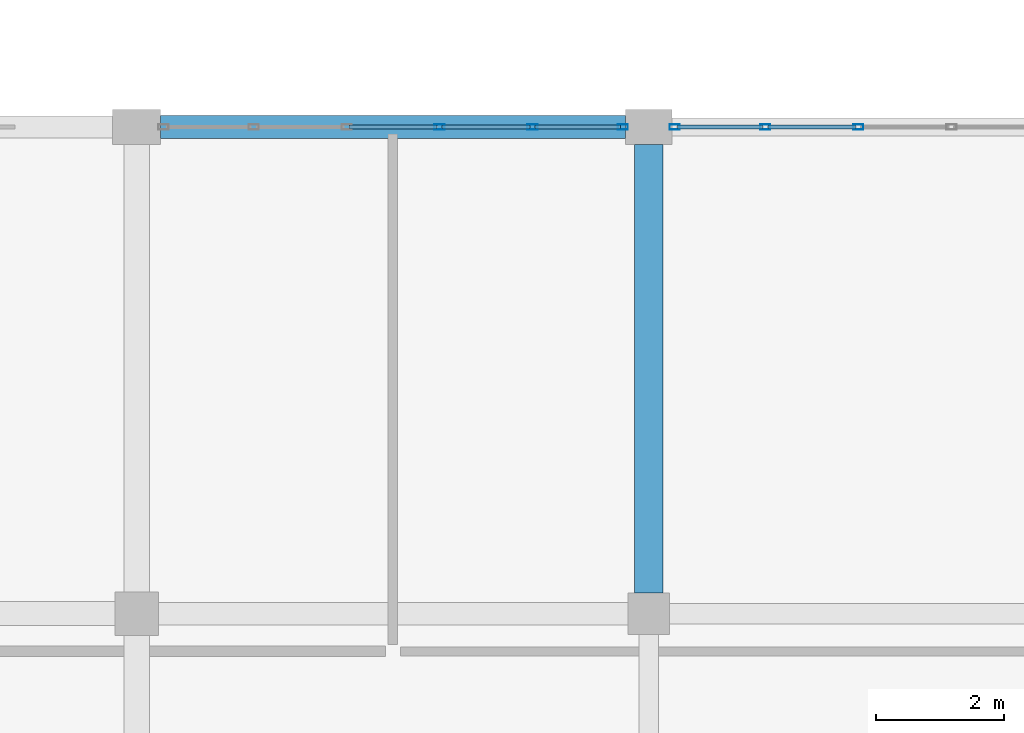
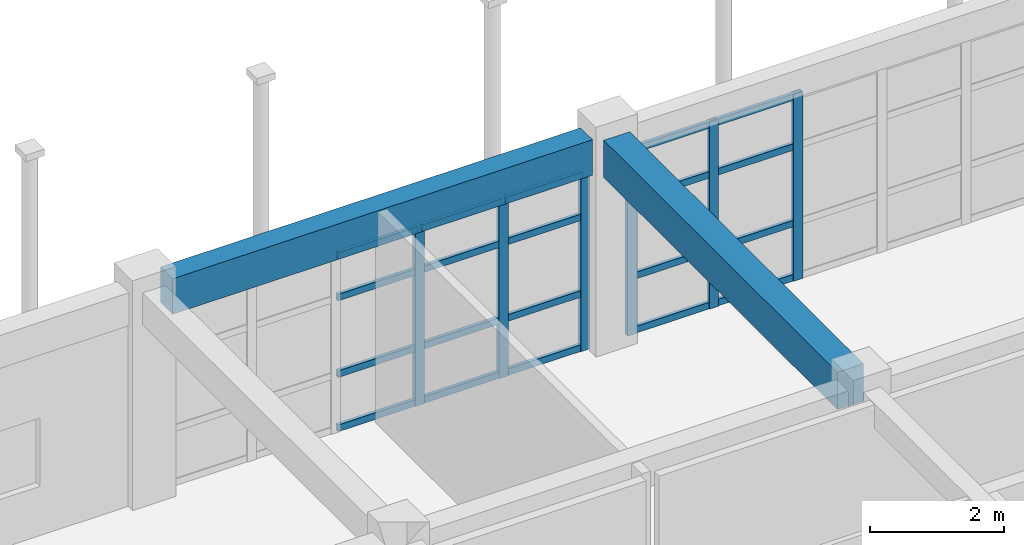
# One storey, part 74 of 195: 26 members, 2 beams, 2 elements without a shape of their own.
"""IFC4 building model written with IfcOpenShell, lengths in metres."""

from ifc_helpers import new_model, si_unit, direction, frame, origin, origin_2d, place, context, subcontext, project, spatial, rectangle, hollow_rectangle, extrude, material, material_profile, profile_set, type_object, element, aggregate, save


model = new_model("IFC4")

# Units and contexts
model_context = context("Model", 3, precision=1e-05, world=origin(), true_north=direction((0.0, 1.0)))
body_context = subcontext(model_context, "Body", "Model", "MODEL_VIEW")
ifc_project = project(units=[si_unit("LENGTHUNIT", "METRE"), si_unit("AREAUNIT", "SQUARE_METRE"), si_unit("VOLUMEUNIT", "CUBIC_METRE"), si_unit("PLANEANGLEUNIT", "RADIAN"), si_unit("MASSUNIT", "GRAM", prefix="KILO")], contexts=[model_context])

# Site, building, storey
site_placement = place(None, origin())
site = spatial("IfcSite", under=ifc_project, at=site_placement, CompositionType="ELEMENT")
building_placement = place(site_placement, origin())
building = spatial("IfcBuilding", under=site, at=building_placement, Name="Kharva Crest Polytechnic", CompositionType="ELEMENT")
storey_placement = place(building_placement, frame((0.0, 0.0, 9.0)))
storey = spatial("IfcBuildingStorey", under=building, at=storey_placement, Name="L02", CompositionType="ELEMENT", Elevation=9.0)

# Beam
ifc_material_1 = material(Name="Concrete C35/45", Category="concrete")
ifc_material_profile_1 = material_profile(ifc_material_1, rectangle(XDim=0.449951171875, YDim=0.679931640625, at=origin_2d()), Name="RECT 450 X 680")
ifc_profile_set_1 = profile_set([ifc_material_profile_1], Name="Concrete C35/45")
beam_type_1 = type_object("IfcBeamType", Name="BM-RC-450X680", PredefinedType="BEAM", material=ifc_profile_set_1)
beam_1_placement = place(storey_placement, frame((88.0, 15.52490234375, 3.580078125), z_axis=(0.0, 1.0, 0.0), x_axis=(-1.0, 0.0, 0.0)))
element("IfcBeam", 1, at=beam_1_placement, inside=storey, type_object=beam_type_1, Name="L02 Girder 12/C-D", PredefinedType="BEAM", context=body_context, shape_type="SweptSolid", body=[
    extrude(rectangle(XDim=0.449951171875, YDim=0.679931640625, at=origin_2d()), origin(), (0.0, 0.0, 1.0), 7.0),
])

# Curtain wall, members
ifc_material_2 = material(Name="Tempered insulated glass", Category="glass")
curtain_wall_type = type_object("IfcCurtainWallType", Name="CW-SYS-COURT", PredefinedType="USERDEFINED", material=ifc_material_2)
curtain_wall_1_placement = place(storey_placement, origin())
curtain_wall_1 = element("IfcCurtainWall", 2, at=curtain_wall_1_placement, inside=storey, type_object=curtain_wall_type, Name="L02 Glazed Curtain Wall CW-082", ObjectType="CURTAIN WALL", PredefinedType="USERDEFINED")
ifc_material_3 = material(Name="Steel S355", Category="steel")
ifc_material_profile_2 = material_profile(ifc_material_3, hollow_rectangle(XDim=0.080078125, YDim=0.159912109375, WallThickness=0.0048828125, at=origin_2d()), Name="RHS 160X80X5.0")
ifc_profile_set_2 = profile_set([ifc_material_profile_2], Name="Steel S355")
member_type_1 = type_object("IfcMemberType", Name="CWM-RHS160X80", PredefinedType="MULLION", material=ifc_profile_set_2)
member_1_placement = place(storey_placement, frame((91.27294921875, 22.800048828125, 0.0), z_axis=(0.0, 0.0, 1.0), x_axis=(0.0, -1.0, 0.0)))
member_1 = element("IfcMember", 3, at=member_1_placement, type_object=member_type_1, Name="CW-082 mullion 4", PredefinedType="MULLION", context=body_context, shape_type="SweptSolid", body=[
    extrude(hollow_rectangle(XDim=0.080078125, YDim=0.159912109375, WallThickness=0.0048828125, at=origin_2d()), origin(), (0.0, 0.0, 1.0), 3.419921875),
])
member_2_placement = place(storey_placement, frame((89.819091796875, 22.800048828125, 0.0), z_axis=(0.0, 0.0, 1.0), x_axis=(0.0, -1.0, 0.0)))
member_2 = element("IfcMember", 4, at=member_2_placement, type_object=member_type_1, Name="CW-082 mullion 5", PredefinedType="MULLION", context=body_context, shape_type="SweptSolid", body=[
    extrude(hollow_rectangle(XDim=0.080078125, YDim=0.159912109375, WallThickness=0.0048828125, at=origin_2d()), origin(), (0.0, 0.0, 1.0), 3.419921875),
])
member_3_placement = place(storey_placement, frame((88.405029296875, 22.800048828125, 0.0), z_axis=(0.0, 0.0, 1.0), x_axis=(0.0, -1.0, 0.0)))
member_3 = element("IfcMember", 5, at=member_3_placement, type_object=member_type_1, Name="CW-082 mullion 6", PredefinedType="MULLION", context=body_context, shape_type="SweptSolid", body=[
    extrude(hollow_rectangle(XDim=0.080078125, YDim=0.159912109375, WallThickness=0.0048828125, at=origin_2d()), origin(), (0.0, 0.0, 1.0), 3.419921875),
])

curtain_wall_2_placement = place(storey_placement, origin())
curtain_wall_2 = element("IfcCurtainWall", 6, at=curtain_wall_2_placement, inside=storey, type_object=curtain_wall_type, Name="L02 Glazed Curtain Wall CW-083", ObjectType="CURTAIN WALL", PredefinedType="USERDEFINED")
member_4_placement = place(storey_placement, frame((87.594970703125, 22.800048828125, 0.0), z_axis=(0.0, 0.0, 1.0), x_axis=(0.0, -1.0, 0.0)))
member_4 = element("IfcMember", 7, at=member_4_placement, type_object=member_type_1, Name="CW-083 mullion 1", PredefinedType="MULLION", context=body_context, shape_type="SweptSolid", body=[
    extrude(hollow_rectangle(XDim=0.080078125, YDim=0.159912109375, WallThickness=0.0048828125, at=origin_2d()), origin(), (0.0, 0.0, 1.0), 3.27001953125),
])
member_5_placement = place(storey_placement, frame((86.18408203125, 22.800048828125, 0.0), z_axis=(0.0, 0.0, 1.0), x_axis=(0.0, -1.0, 0.0)))
member_5 = element("IfcMember", 8, at=member_5_placement, type_object=member_type_1, Name="CW-083 mullion 2", PredefinedType="MULLION", context=body_context, shape_type="SweptSolid", body=[
    extrude(hollow_rectangle(XDim=0.080078125, YDim=0.159912109375, WallThickness=0.0048828125, at=origin_2d()), origin(), (0.0, 0.0, 1.0), 3.27001953125),
])
member_6_placement = place(storey_placement, frame((84.73291015625, 22.800048828125, 0.0), z_axis=(0.0, 0.0, 1.0), x_axis=(0.0, -1.0, 0.0)))
member_6 = element("IfcMember", 9, at=member_6_placement, type_object=member_type_1, Name="CW-083 mullion 3", PredefinedType="MULLION", context=body_context, shape_type="SweptSolid", body=[
    extrude(hollow_rectangle(XDim=0.080078125, YDim=0.159912109375, WallThickness=0.0048828125, at=origin_2d()), origin(), (0.0, 0.0, 1.0), 3.27001953125),
])

# Member
ifc_material_profile_3 = material_profile(ifc_material_3, hollow_rectangle(XDim=0.06005859375, YDim=0.1201171875, WallThickness=0.00390625, at=origin_2d()), Name="RHS 120X60X4.0")
ifc_profile_set_3 = profile_set([ifc_material_profile_3], Name="Steel S355")
member_type_2 = type_object("IfcMemberType", Name="CWT-RHS120X60", PredefinedType="USERDEFINED", material=ifc_profile_set_3)
member_7_placement = place(storey_placement, frame((91.23291015625, 22.800048828125, 0.06005859375), z_axis=(-1.0, 0.0, 0.0), x_axis=(0.0, -1.0, 0.0)))
member_7 = element("IfcMember", 10, at=member_7_placement, type_object=member_type_2, Name="CW-082 transom 4.1", ObjectType="TRANSOM", PredefinedType="USERDEFINED", context=body_context, shape_type="SweptSolid", body=[
    extrude(hollow_rectangle(XDim=0.06005859375, YDim=0.1201171875, WallThickness=0.00390625, at=origin_2d()), origin(), (0.0, 0.0, 1.0), 1.3740234375),
])

member_8_placement = place(storey_placement, frame((91.23291015625, 22.800048828125, 1.050048828125), z_axis=(-1.0, 0.0, 0.0), x_axis=(0.0, -1.0, 0.0)))
member_8 = element("IfcMember", 11, at=member_8_placement, type_object=member_type_2, Name="CW-082 transom 4.2", ObjectType="TRANSOM", PredefinedType="USERDEFINED", context=body_context, shape_type="SweptSolid", body=[
    extrude(hollow_rectangle(XDim=0.06005859375, YDim=0.1201171875, WallThickness=0.00390625, at=origin_2d()), origin(), (0.0, 0.0, 1.0), 1.3740234375),
])

member_9_placement = place(storey_placement, frame((91.23291015625, 22.800048828125, 2.449951171875), z_axis=(-1.0, 0.0, 0.0), x_axis=(0.0, -1.0, 0.0)))
member_9 = element("IfcMember", 12, at=member_9_placement, type_object=member_type_2, Name="CW-082 transom 4.3", ObjectType="TRANSOM", PredefinedType="USERDEFINED", context=body_context, shape_type="SweptSolid", body=[
    extrude(hollow_rectangle(XDim=0.06005859375, YDim=0.1201171875, WallThickness=0.00390625, at=origin_2d()), origin(), (0.0, 0.0, 1.0), 1.3740234375),
])

member_10_placement = place(storey_placement, frame((91.23291015625, 22.800048828125, 3.360107421875), z_axis=(-1.0, 0.0, 0.0), x_axis=(0.0, -1.0, 0.0)))
member_10 = element("IfcMember", 13, at=member_10_placement, type_object=member_type_2, Name="CW-082 transom 4.4", ObjectType="TRANSOM", PredefinedType="USERDEFINED", context=body_context, shape_type="SweptSolid", body=[
    extrude(hollow_rectangle(XDim=0.06005859375, YDim=0.1201171875, WallThickness=0.00390625, at=origin_2d()), origin(), (0.0, 0.0, 1.0), 1.3740234375),
])

member_11_placement = place(storey_placement, frame((89.779052734375, 22.800048828125, 0.06005859375), z_axis=(-1.0, 0.0, 0.0), x_axis=(0.0, -1.0, 0.0)))
member_11 = element("IfcMember", 14, at=member_11_placement, type_object=member_type_2, Name="CW-082 transom 5.1", ObjectType="TRANSOM", PredefinedType="USERDEFINED", context=body_context, shape_type="SweptSolid", body=[
    extrude(hollow_rectangle(XDim=0.06005859375, YDim=0.1201171875, WallThickness=0.00390625, at=origin_2d()), origin(), (0.0, 0.0, 1.0), 1.333984375),
])

member_12_placement = place(storey_placement, frame((89.779052734375, 22.800048828125, 1.050048828125), z_axis=(-1.0, 0.0, 0.0), x_axis=(0.0, -1.0, 0.0)))
member_12 = element("IfcMember", 15, at=member_12_placement, type_object=member_type_2, Name="CW-082 transom 5.2", ObjectType="TRANSOM", PredefinedType="USERDEFINED", context=body_context, shape_type="SweptSolid", body=[
    extrude(hollow_rectangle(XDim=0.06005859375, YDim=0.1201171875, WallThickness=0.00390625, at=origin_2d()), origin(), (0.0, 0.0, 1.0), 1.333984375),
])

member_13_placement = place(storey_placement, frame((89.779052734375, 22.800048828125, 2.449951171875), z_axis=(-1.0, 0.0, 0.0), x_axis=(0.0, -1.0, 0.0)))
member_13 = element("IfcMember", 16, at=member_13_placement, type_object=member_type_2, Name="CW-082 transom 5.3", ObjectType="TRANSOM", PredefinedType="USERDEFINED", context=body_context, shape_type="SweptSolid", body=[
    extrude(hollow_rectangle(XDim=0.06005859375, YDim=0.1201171875, WallThickness=0.00390625, at=origin_2d()), origin(), (0.0, 0.0, 1.0), 1.333984375),
])

member_14_placement = place(storey_placement, frame((89.779052734375, 22.800048828125, 3.360107421875), z_axis=(-1.0, 0.0, 0.0), x_axis=(0.0, -1.0, 0.0)))
member_14 = element("IfcMember", 17, at=member_14_placement, type_object=member_type_2, Name="CW-082 transom 5.4", ObjectType="TRANSOM", PredefinedType="USERDEFINED", context=body_context, shape_type="SweptSolid", body=[
    extrude(hollow_rectangle(XDim=0.06005859375, YDim=0.1201171875, WallThickness=0.00390625, at=origin_2d()), origin(), (0.0, 0.0, 1.0), 1.333984375),
])

aggregate(curtain_wall_1, [member_1, member_2, member_3, member_7, member_8, member_9, member_10, member_11, member_12, member_13, member_14])

member_15_placement = place(storey_placement, frame((87.554931640625, 22.800048828125, 0.06005859375), z_axis=(-1.0, 0.0, 0.0), x_axis=(0.0, -1.0, 0.0)))
member_15 = element("IfcMember", 18, at=member_15_placement, type_object=member_type_2, Name="CW-083 transom 1.1", ObjectType="TRANSOM", PredefinedType="USERDEFINED", context=body_context, shape_type="SweptSolid", body=[
    extrude(hollow_rectangle(XDim=0.06005859375, YDim=0.1201171875, WallThickness=0.00390625, at=origin_2d()), origin(), (0.0, 0.0, 1.0), 1.330810546875),
])

member_16_placement = place(storey_placement, frame((87.554931640625, 22.800048828125, 1.050048828125), z_axis=(-1.0, 0.0, 0.0), x_axis=(0.0, -1.0, 0.0)))
member_16 = element("IfcMember", 19, at=member_16_placement, type_object=member_type_2, Name="CW-083 transom 1.2", ObjectType="TRANSOM", PredefinedType="USERDEFINED", context=body_context, shape_type="SweptSolid", body=[
    extrude(hollow_rectangle(XDim=0.06005859375, YDim=0.1201171875, WallThickness=0.00390625, at=origin_2d()), origin(), (0.0, 0.0, 1.0), 1.330810546875),
])

member_17_placement = place(storey_placement, frame((87.554931640625, 22.800048828125, 2.449951171875), z_axis=(-1.0, 0.0, 0.0), x_axis=(0.0, -1.0, 0.0)))
member_17 = element("IfcMember", 20, at=member_17_placement, type_object=member_type_2, Name="CW-083 transom 1.3", ObjectType="TRANSOM", PredefinedType="USERDEFINED", context=body_context, shape_type="SweptSolid", body=[
    extrude(hollow_rectangle(XDim=0.06005859375, YDim=0.1201171875, WallThickness=0.00390625, at=origin_2d()), origin(), (0.0, 0.0, 1.0), 1.330810546875),
])

member_18_placement = place(storey_placement, frame((87.554931640625, 22.800048828125, 3.2099609375), z_axis=(-1.0, 0.0, 0.0), x_axis=(0.0, -1.0, 0.0)))
member_18 = element("IfcMember", 21, at=member_18_placement, type_object=member_type_2, Name="CW-083 transom 1.4", ObjectType="TRANSOM", PredefinedType="USERDEFINED", context=body_context, shape_type="SweptSolid", body=[
    extrude(hollow_rectangle(XDim=0.06005859375, YDim=0.1201171875, WallThickness=0.00390625, at=origin_2d()), origin(), (0.0, 0.0, 1.0), 1.330810546875),
])

member_19_placement = place(storey_placement, frame((86.14404296875, 22.800048828125, 0.06005859375), z_axis=(-1.0, 0.0, 0.0), x_axis=(0.0, -1.0, 0.0)))
member_19 = element("IfcMember", 22, at=member_19_placement, type_object=member_type_2, Name="CW-083 transom 2.1", ObjectType="TRANSOM", PredefinedType="USERDEFINED", context=body_context, shape_type="SweptSolid", body=[
    extrude(hollow_rectangle(XDim=0.06005859375, YDim=0.1201171875, WallThickness=0.00390625, at=origin_2d()), origin(), (0.0, 0.0, 1.0), 1.37109375),
])

member_20_placement = place(storey_placement, frame((86.14404296875, 22.800048828125, 1.050048828125), z_axis=(-1.0, 0.0, 0.0), x_axis=(0.0, -1.0, 0.0)))
member_20 = element("IfcMember", 23, at=member_20_placement, type_object=member_type_2, Name="CW-083 transom 2.2", ObjectType="TRANSOM", PredefinedType="USERDEFINED", context=body_context, shape_type="SweptSolid", body=[
    extrude(hollow_rectangle(XDim=0.06005859375, YDim=0.1201171875, WallThickness=0.00390625, at=origin_2d()), origin(), (0.0, 0.0, 1.0), 1.37109375),
])

member_21_placement = place(storey_placement, frame((86.14404296875, 22.800048828125, 2.449951171875), z_axis=(-1.0, 0.0, 0.0), x_axis=(0.0, -1.0, 0.0)))
member_21 = element("IfcMember", 24, at=member_21_placement, type_object=member_type_2, Name="CW-083 transom 2.3", ObjectType="TRANSOM", PredefinedType="USERDEFINED", context=body_context, shape_type="SweptSolid", body=[
    extrude(hollow_rectangle(XDim=0.06005859375, YDim=0.1201171875, WallThickness=0.00390625, at=origin_2d()), origin(), (0.0, 0.0, 1.0), 1.37109375),
])

member_22_placement = place(storey_placement, frame((86.14404296875, 22.800048828125, 3.2099609375), z_axis=(-1.0, 0.0, 0.0), x_axis=(0.0, -1.0, 0.0)))
member_22 = element("IfcMember", 25, at=member_22_placement, type_object=member_type_2, Name="CW-083 transom 2.4", ObjectType="TRANSOM", PredefinedType="USERDEFINED", context=body_context, shape_type="SweptSolid", body=[
    extrude(hollow_rectangle(XDim=0.06005859375, YDim=0.1201171875, WallThickness=0.00390625, at=origin_2d()), origin(), (0.0, 0.0, 1.0), 1.37109375),
])

member_23_placement = place(storey_placement, frame((84.693115234375, 22.800048828125, 0.06005859375), z_axis=(-1.0, 0.0, 0.0), x_axis=(0.0, -1.0, 0.0)))
member_23 = element("IfcMember", 26, at=member_23_placement, type_object=member_type_2, Name="CW-083 transom 3.1", ObjectType="TRANSOM", PredefinedType="USERDEFINED", context=body_context, shape_type="SweptSolid", body=[
    extrude(hollow_rectangle(XDim=0.06005859375, YDim=0.1201171875, WallThickness=0.00390625, at=origin_2d()), origin(), (0.0, 0.0, 1.0), 1.37109375),
])

member_24_placement = place(storey_placement, frame((84.693115234375, 22.800048828125, 1.050048828125), z_axis=(-1.0, 0.0, 0.0), x_axis=(0.0, -1.0, 0.0)))
member_24 = element("IfcMember", 27, at=member_24_placement, type_object=member_type_2, Name="CW-083 transom 3.2", ObjectType="TRANSOM", PredefinedType="USERDEFINED", context=body_context, shape_type="SweptSolid", body=[
    extrude(hollow_rectangle(XDim=0.06005859375, YDim=0.1201171875, WallThickness=0.00390625, at=origin_2d()), origin(), (0.0, 0.0, 1.0), 1.37109375),
])

member_25_placement = place(storey_placement, frame((84.693115234375, 22.800048828125, 2.449951171875), z_axis=(-1.0, 0.0, 0.0), x_axis=(0.0, -1.0, 0.0)))
member_25 = element("IfcMember", 28, at=member_25_placement, type_object=member_type_2, Name="CW-083 transom 3.3", ObjectType="TRANSOM", PredefinedType="USERDEFINED", context=body_context, shape_type="SweptSolid", body=[
    extrude(hollow_rectangle(XDim=0.06005859375, YDim=0.1201171875, WallThickness=0.00390625, at=origin_2d()), origin(), (0.0, 0.0, 1.0), 1.37109375),
])

member_26_placement = place(storey_placement, frame((84.693115234375, 22.800048828125, 3.2099609375), z_axis=(-1.0, 0.0, 0.0), x_axis=(0.0, -1.0, 0.0)))
member_26 = element("IfcMember", 29, at=member_26_placement, type_object=member_type_2, Name="CW-083 transom 3.4", ObjectType="TRANSOM", PredefinedType="USERDEFINED", context=body_context, shape_type="SweptSolid", body=[
    extrude(hollow_rectangle(XDim=0.06005859375, YDim=0.1201171875, WallThickness=0.00390625, at=origin_2d()), origin(), (0.0, 0.0, 1.0), 1.37109375),
])

aggregate(curtain_wall_2, [member_4, member_5, member_6, member_15, member_16, member_17, member_18, member_19, member_20, member_21, member_22, member_23, member_24, member_25, member_26])

# Beam
ifc_material_profile_4 = material_profile(ifc_material_1, rectangle(XDim=0.360107421875, YDim=0.64990234375, at=origin_2d()), Name="RECT 360 X 650")
ifc_profile_set_4 = profile_set([ifc_material_profile_4], Name="Concrete C35/45")
beam_type_2 = type_object("IfcBeamType", Name="SP-RC-360X650", PredefinedType="SPANDREL", material=ifc_profile_set_4)
beam_2_placement = place(storey_placement, frame((80.375, 22.800048828125, 3.594970703125), z_axis=(1.0, 0.0, 0.0), x_axis=(0.0, 1.0, 0.0)))
element("IfcBeam", 30, at=beam_2_placement, inside=storey, type_object=beam_type_2, Name="L02 Beam D/11-12", PredefinedType="SPANDREL", context=body_context, shape_type="SweptSolid", body=[
    extrude(rectangle(XDim=0.360107421875, YDim=0.64990234375, at=origin_2d()), origin(), (0.0, 0.0, 1.0), 7.264892578125),
])

save(model, "model.ifc")
